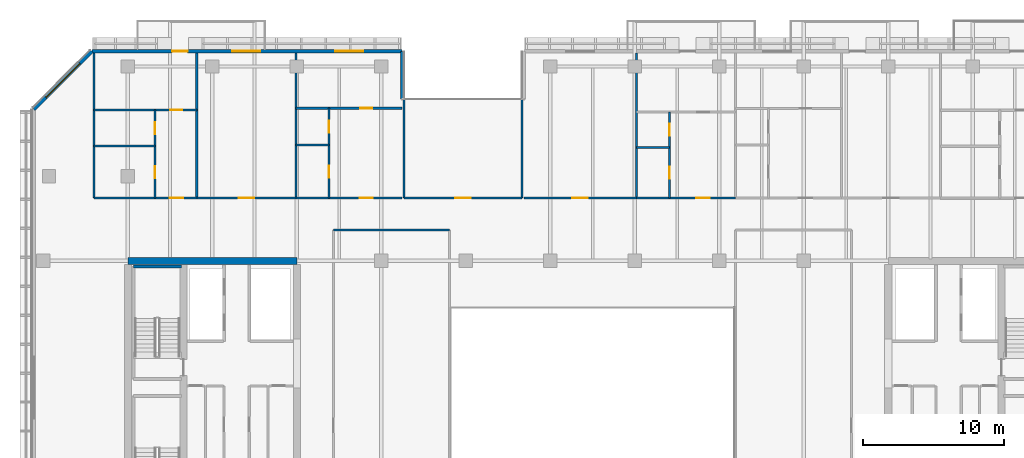
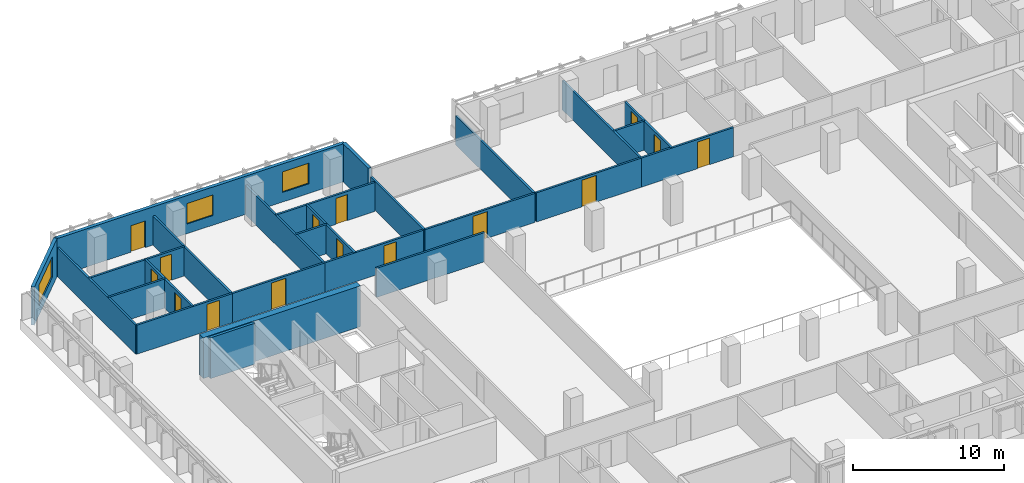
# One storey, part 13 of 23: 26 walls, 15 doors, 3 windows, 18 openings.
"""IFC4 building model written with IfcOpenShell, lengths in metres."""

from ifc_helpers import new_model, si_unit, direction, frame, frame_2d, origin, place, context, subcontext, project, spatial, rectangle, extrude, material, layer, layer_set, type_object, element, fill, save


model = new_model("IFC4")

# Units and contexts
model_context = context("Model", 3, precision=1e-05, world=origin(), true_north=direction((0.0, 1.0)))
body_context = subcontext(model_context, "Body", "Model", "MODEL_VIEW")
ifc_project = project(units=[si_unit("LENGTHUNIT", "METRE"), si_unit("AREAUNIT", "SQUARE_METRE"), si_unit("VOLUMEUNIT", "CUBIC_METRE"), si_unit("PLANEANGLEUNIT", "RADIAN"), si_unit("MASSUNIT", "GRAM", prefix="KILO")], contexts=[model_context])

# Site, building, storey
site_placement = place(None, origin())
site = spatial("IfcSite", under=ifc_project, at=site_placement, CompositionType="ELEMENT")
building_placement = place(site_placement, origin())
building = spatial("IfcBuilding", under=site, at=building_placement, Name="Tanjung Sevakor Pilgrim Tower", CompositionType="ELEMENT")
storey_placement = place(building_placement, frame((0.0, 0.0, 105.27001953125)))
storey = spatial("IfcBuildingStorey", under=building, at=storey_placement, Name="L29", CompositionType="ELEMENT", Elevation=105.27001953125)

# Walls
ifc_material_1 = material(Name="Concrete C60/75", Category="concrete")
ifc_layer_1 = layer(ifc_material_1, 0.5)
ifc_layer_set_1 = layer_set([ifc_layer_1], Name="WALL-CW-500")
wall_type_1 = type_object("IfcWallType", Name="WALL-CW-500", PredefinedType="SHEAR", material=ifc_layer_set_1)
wall_1_placement = place(storey_placement, frame((36.0, 42.60009765625, 0.0), z_axis=(0.0, 0.0, 1.0), x_axis=(-1.0, 0.0, 0.0)))
element("IfcWall", 1, at=wall_1_placement, inside=storey, type_object=wall_type_1, Name="L29 W Core North Shear Wall", PredefinedType="SHEAR", context=body_context, shape_type="SweptSolid", body=[
    extrude(rectangle(XDim=12.0, YDim=0.5, at=frame_2d((6.0, 0.0))), origin(), (0.0, 0.0, 1.0), 3.300048828125),
])
ifc_material_2 = material(Name="Concrete C40/50", Category="concrete")
ifc_layer_2 = layer(ifc_material_2, 0.14990234375)
ifc_layer_set_2 = layer_set([ifc_layer_2], Name="WT-COMP-150")
wall_type_2 = type_object("IfcWallType", Name="WT-COMP-150", PredefinedType="SOLIDWALL", material=ifc_layer_set_2)
wall_2_placement = place(storey_placement, frame((38.60009765625, 44.800048828125, 0.0), z_axis=(0.0, 0.0, 1.0), x_axis=(1.0, 0.0, 0.0)))
element("IfcWall", 2, at=wall_2_placement, inside=storey, type_object=wall_type_2, Name="L29 Partition IW-L29-030", PredefinedType="SOLIDWALL", context=body_context, shape_type="SweptSolid", body=[
    extrude(rectangle(XDim=8.25, YDim=0.14990234375, at=frame_2d((4.125, 0.0))), origin(), (0.0, 0.0, 1.0), 2.35009765625),
])

# Wall, opening, door
wall_3_placement = place(storey_placement, frame((43.60009765625, 47.050048828125, 0.0), z_axis=(0.0, 0.0, 1.0), x_axis=(1.0, 0.0, 0.0)))
wall_3 = element("IfcWall", 3, at=wall_3_placement, inside=storey, type_object=wall_type_2, Name="L29 Partition IW-L29-048", PredefinedType="SOLIDWALL", context=body_context, shape_type="SweptSolid", body=[
    extrude(rectangle(XDim=8.39990234375, YDim=0.14990234375, at=frame_2d((4.199951171875, 0.0))), origin(), (0.0, 0.0, 1.0), 2.35009765625),
])
opening_1_placement = place(wall_3_placement, frame((3.64990234375, 0.0, 0.0)))
opening_1 = element("IfcOpeningElement", 4, at=opening_1_placement, cuts=wall_3, Name="Opening ID-RM2", PredefinedType="OPENING", context=body_context, shape_type="SweptSolid", body=[
    extrude(rectangle(XDim=1.10009765625, YDim=2.14990234375, at=frame_2d((0.550048828125, 1.074951171875))), frame((0.0, 0.0849609375, 0.0), z_axis=(0.0, -1.0, 0.0), x_axis=(1.0, 0.0, 0.0)), (0.0, 0.0, 1.0), 0.169921875),
])
ifc_material_3 = material(Name="Hardwood Timber", Category="wood")
door_type_1 = type_object("IfcDoorType", Name="DT-INT-1100", OperationType="NOTDEFINED", PredefinedType="DOOR", material=ifc_material_3)
door_1_placement = place(opening_1_placement, origin())
door_1 = element("IfcDoor", 5, at=door_1_placement, inside=storey, type_object=door_type_1, Name="L29 North Cleft Seminar Room Door", OperationType="SINGLE_SWING_RIGHT", OverallHeight=2.14990234375, OverallWidth=1.10009765625, PredefinedType="DOOR", context=body_context, shape_type="SweptSolid", body=[
    extrude(rectangle(XDim=1.10009765625, YDim=2.14990234375, at=frame_2d((0.550048828125, 1.074951171875))), frame((0.0, 0.02490234375, 0.0), z_axis=(0.0, -1.0, 0.0), x_axis=(1.0, 0.0, 0.0)), (0.0, 0.0, 1.0), 0.050048828125),
])
fill(opening_1, door_1)

# Walls
for number, where, z_axis, x_axis, name in (
    (6, (43.60009765625, 47.050048828125, 0.0), (0.0, 0.0, 1.0), (0.0, 1.0, 0.0), "L29 Partition IW-L29-049"),
    (7, (52.0, 47.050048828125, 0.0), (0.0, 0.0, 1.0), (0.0, 1.0, 0.0), "L29 Partition IW-L29-050"),
    (8, (21.60009765625, 47.050048828125, 0.0), (0.0, 0.0, 1.0), (0.0, 1.0, 0.0), "L29 Partition IW-L29-080"),
    (9, (28.893310546875, 47.050048828125, 0.0), (0.0, 0.0, 1.0), (0.0, 1.0, 0.0), "L29 Partition IW-L29-081"),
):
    element("IfcWall", number, at=place(storey_placement, frame(where, z_axis=z_axis, x_axis=x_axis)), inside=storey, type_object=wall_type_2, Name=name, PredefinedType="SOLIDWALL", context=body_context, shape_type="SweptSolid", body=[
        extrude(rectangle(XDim=10.300048828125, YDim=0.14990234375, at=frame_2d((5.14990234375, 0.0))), origin(), (0.0, 0.0, 1.0), 2.35009765625),
    ])

# Wall, opening, door
wall_4_placement = place(storey_placement, frame((21.60009765625, 47.050048828125, 0.0), z_axis=(0.0, 0.0, 1.0), x_axis=(1.0, 0.0, 0.0)))
wall_4 = element("IfcWall", 10, at=wall_4_placement, inside=storey, type_object=wall_type_2, Name="L29 Partition IW-L29-085", PredefinedType="SOLIDWALL", context=body_context, shape_type="SweptSolid", body=[
    extrude(rectangle(XDim=7.293212890625, YDim=0.14990234375, at=frame_2d((3.646484375, 0.0))), origin(), (0.0, 0.0, 1.0), 2.35009765625),
])
opening_2_placement = place(wall_4_placement, frame((5.37158203125, 0.0, 0.0)))
opening_2 = element("IfcOpeningElement", 11, at=opening_2_placement, cuts=wall_4, Name="Opening ID-FD2", PredefinedType="OPENING", context=body_context, shape_type="SweptSolid", body=[
    extrude(rectangle(XDim=0.949951171875, YDim=2.14990234375, at=frame_2d((0.47509765625, 1.074951171875))), frame((0.0, 0.0849609375, 0.0), z_axis=(0.0, -1.0, 0.0), x_axis=(1.0, 0.0, 0.0)), (0.0, 0.0, 1.0), 0.169921875),
])
ifc_material_4 = material(Name="Fire-Rated Timber", Category="wood")
door_type_2 = type_object("IfcDoorType", Name="DT-FIRE-950", OperationType="NOTDEFINED", PredefinedType="DOOR", material=ifc_material_4)
door_2_placement = place(opening_2_placement, origin())
door_2 = element("IfcDoor", 12, at=door_2_placement, inside=storey, type_object=door_type_2, Name="Residence Entrance", OperationType="SINGLE_SWING_RIGHT", OverallHeight=2.14990234375, OverallWidth=0.949951171875, PredefinedType="DOOR", context=body_context, shape_type="SweptSolid", body=[
    extrude(rectangle(XDim=0.949951171875, YDim=2.14990234375, at=frame_2d((0.47509765625, 1.074951171875))), frame((0.0, 0.02490234375, 0.0), z_axis=(0.0, -1.0, 0.0), x_axis=(1.0, 0.0, 0.0)), (0.0, 0.0, 1.0), 0.050048828125),
])
fill(opening_2, door_2)

# Wall
wall_5_placement = place(storey_placement, frame((35.943603515625, 47.050048828125, 0.0), z_axis=(0.0, 0.0, 1.0), x_axis=(0.0, 1.0, 0.0)))
element("IfcWall", 13, at=wall_5_placement, inside=storey, type_object=wall_type_2, Name="L29 Partition IW-L29-086", PredefinedType="SOLIDWALL", context=body_context, shape_type="SweptSolid", body=[
    extrude(rectangle(XDim=10.300048828125, YDim=0.14990234375, at=frame_2d((5.14990234375, 0.0))), origin(), (0.0, 0.0, 1.0), 2.35009765625),
])

# Wall, opening, door
wall_6_placement = place(storey_placement, frame((28.893310546875, 47.050048828125, 0.0), z_axis=(0.0, 0.0, 1.0), x_axis=(1.0, 0.0, 0.0)))
wall_6 = element("IfcWall", 14, at=wall_6_placement, inside=storey, type_object=wall_type_2, Name="L29 Partition IW-L29-087", PredefinedType="SOLIDWALL", context=body_context, shape_type="SweptSolid", body=[
    extrude(rectangle(XDim=7.05029296875, YDim=0.14990234375, at=frame_2d((3.525146484375, 0.0))), origin(), (0.0, 0.0, 1.0), 2.35009765625),
])
opening_3_placement = place(wall_6_placement, frame((2.97509765625, 0.0, 0.0)))
opening_3 = element("IfcOpeningElement", 15, at=opening_3_placement, cuts=wall_6, Name="Opening ID-FD0", PredefinedType="OPENING", context=body_context, shape_type="SweptSolid", body=[
    extrude(rectangle(XDim=1.10009765625, YDim=2.14990234375, at=frame_2d((0.550048828125, 1.074951171875))), frame((0.0, 0.0849609375, 0.0), z_axis=(0.0, -1.0, 0.0), x_axis=(1.0, 0.0, 0.0)), (0.0, 0.0, 1.0), 0.169921875),
])
ifc_material_5 = material(Name="Fire-Rated Steel S355J2", Category="steel")
door_type_3 = type_object("IfcDoorType", Name="DT-FIRE-1100", OperationType="NOTDEFINED", PredefinedType="DOOR", material=ifc_material_5)
door_3_placement = place(opening_3_placement, origin())
door_3 = element("IfcDoor", 16, at=door_3_placement, inside=storey, type_object=door_type_3, Name="Seminar Room Door", OperationType="SINGLE_SWING_LEFT", OverallHeight=2.14990234375, OverallWidth=1.10009765625, PredefinedType="DOOR", context=body_context, shape_type="SweptSolid", body=[
    extrude(rectangle(XDim=1.10009765625, YDim=2.14990234375, at=frame_2d((0.550048828125, 1.074951171875))), frame((0.0, 0.02490234375, 0.0), z_axis=(0.0, -1.0, 0.0), x_axis=(1.0, 0.0, 0.0)), (0.0, 0.0, 1.0), 0.050048828125),
])
fill(opening_3, door_3)

wall_7_placement = place(storey_placement, frame((35.943603515625, 47.050048828125, 0.0), z_axis=(0.0, 0.0, 1.0), x_axis=(1.0, 0.0, 0.0)))
wall_7 = element("IfcWall", 17, at=wall_7_placement, inside=storey, type_object=wall_type_2, Name="L29 Partition IW-L29-091", PredefinedType="SOLIDWALL", context=body_context, shape_type="SweptSolid", body=[
    extrude(rectangle(XDim=7.536376953125, YDim=0.14990234375, at=frame_2d((3.76806640625, 0.0))), origin(), (0.0, 0.0, 1.0), 2.35009765625),
])
opening_4_placement = place(wall_7_placement, frame((4.50830078125, 0.0, 0.0)))
opening_4 = element("IfcOpeningElement", 18, at=opening_4_placement, cuts=wall_7, Name="Opening ID-FD2", PredefinedType="OPENING", context=body_context, shape_type="SweptSolid", body=[
    extrude(rectangle(XDim=0.949951171875, YDim=2.14990234375, at=frame_2d((0.47509765625, 1.074951171875))), frame((0.0, 0.0849609375, 0.0), z_axis=(0.0, -1.0, 0.0), x_axis=(1.0, 0.0, 0.0)), (0.0, 0.0, 1.0), 0.169921875),
])
door_4_placement = place(opening_4_placement, origin())
door_4 = element("IfcDoor", 19, at=door_4_placement, inside=storey, type_object=door_type_2, Name="Residence Entrance", OperationType="SINGLE_SWING_LEFT", OverallHeight=2.14990234375, OverallWidth=0.949951171875, PredefinedType="DOOR", context=body_context, shape_type="SweptSolid", body=[
    extrude(rectangle(XDim=0.949951171875, YDim=2.14990234375, at=frame_2d((0.47509765625, 1.074951171875))), frame((0.0, 0.02490234375, 0.0), z_axis=(0.0, -1.0, 0.0), x_axis=(1.0, 0.0, 0.0)), (0.0, 0.0, 1.0), 0.050048828125),
])
fill(opening_4, door_4)

# Wall
wall_8_placement = place(storey_placement, frame((60.1201171875, 47.050048828125, 0.0), z_axis=(0.0, 0.0, 1.0), x_axis=(0.0, 1.0, 0.0)))
element("IfcWall", 20, at=wall_8_placement, inside=storey, type_object=wall_type_2, Name="L29 Partition IW-L29-093", PredefinedType="SOLIDWALL", context=body_context, shape_type="SweptSolid", body=[
    extrude(rectangle(XDim=10.300048828125, YDim=0.14990234375, at=frame_2d((5.14990234375, 0.0))), origin(), (0.0, 0.0, 1.0), 2.35009765625),
])

# Wall, opening, door
wall_9_placement = place(storey_placement, frame((52.1201171875, 47.050048828125, 0.0), z_axis=(0.0, 0.0, 1.0), x_axis=(1.0, 0.0, 0.0)))
wall_9 = element("IfcWall", 21, at=wall_9_placement, inside=storey, type_object=wall_type_2, Name="L29 Partition IW-L29-094", PredefinedType="SOLIDWALL", context=body_context, shape_type="SweptSolid", body=[
    extrude(rectangle(XDim=8.0, YDim=0.14990234375, at=frame_2d((4.0, 0.0))), origin(), (0.0, 0.0, 1.0), 2.35009765625),
])
opening_5_placement = place(wall_9_placement, frame((3.4501953125, 0.0, 0.0)))
opening_5 = element("IfcOpeningElement", 22, at=opening_5_placement, cuts=wall_9, Name="Opening ID-FD0", PredefinedType="OPENING", context=body_context, shape_type="SweptSolid", body=[
    extrude(rectangle(XDim=1.10009765625, YDim=2.14990234375, at=frame_2d((0.550048828125, 1.074951171875))), frame((0.0, 0.0849609375, 0.0), z_axis=(0.0, -1.0, 0.0), x_axis=(1.0, 0.0, 0.0)), (0.0, 0.0, 1.0), 0.169921875),
])
door_5_placement = place(opening_5_placement, origin())
door_5 = element("IfcDoor", 23, at=door_5_placement, inside=storey, type_object=door_type_3, Name="Council Room Door", OperationType="SINGLE_SWING_RIGHT", OverallHeight=2.14990234375, OverallWidth=1.10009765625, PredefinedType="DOOR", context=body_context, shape_type="SweptSolid", body=[
    extrude(rectangle(XDim=1.10009765625, YDim=2.14990234375, at=frame_2d((0.550048828125, 1.074951171875))), frame((0.0, 0.02490234375, 0.0), z_axis=(0.0, -1.0, 0.0), x_axis=(1.0, 0.0, 0.0)), (0.0, 0.0, 1.0), 0.050048828125),
])
fill(opening_5, door_5)

wall_10_placement = place(storey_placement, frame((60.1201171875, 47.050048828125, 0.0), z_axis=(0.0, 0.0, 1.0), x_axis=(1.0, 0.0, 0.0)))
wall_10 = element("IfcWall", 24, at=wall_10_placement, inside=storey, type_object=wall_type_2, Name="L29 Partition IW-L29-099", PredefinedType="SOLIDWALL", context=body_context, shape_type="SweptSolid", body=[
    extrude(rectangle(XDim=7.030517578125, YDim=0.14990234375, at=frame_2d((3.51513671875, 0.0))), origin(), (0.0, 0.0, 1.0), 2.35009765625),
])
opening_6_placement = place(wall_10_placement, frame((4.25537109375, 0.0, 0.0)))
opening_6 = element("IfcOpeningElement", 25, at=opening_6_placement, cuts=wall_10, Name="Opening ID-FD2", PredefinedType="OPENING", context=body_context, shape_type="SweptSolid", body=[
    extrude(rectangle(XDim=0.949951171875, YDim=2.14990234375, at=frame_2d((0.47509765625, 1.074951171875))), frame((0.0, 0.0849609375, 0.0), z_axis=(0.0, -1.0, 0.0), x_axis=(1.0, 0.0, 0.0)), (0.0, 0.0, 1.0), 0.169921875),
])
door_6_placement = place(opening_6_placement, origin())
door_6 = element("IfcDoor", 26, at=door_6_placement, inside=storey, type_object=door_type_2, Name="Residence Entrance", OperationType="SINGLE_SWING_RIGHT", OverallHeight=2.14990234375, OverallWidth=0.949951171875, PredefinedType="DOOR", context=body_context, shape_type="SweptSolid", body=[
    extrude(rectangle(XDim=0.949951171875, YDim=2.14990234375, at=frame_2d((0.47509765625, 1.074951171875))), frame((0.0, 0.02490234375, 0.0), z_axis=(0.0, -1.0, 0.0), x_axis=(1.0, 0.0, 0.0)), (0.0, 0.0, 1.0), 0.050048828125),
])
fill(opening_6, door_6)

# Wall
ifc_material_6 = material(Name="Precast concrete C45/55", Category="concrete")
ifc_layer_3 = layer(ifc_material_6, 0.25)
ifc_layer_set_3 = layer_set([ifc_layer_3], Name="WT-EW-STN3")
wall_type_3 = type_object("IfcWallType", Name="WT-EW-STN3", PredefinedType="SOLIDWALL", material=ifc_layer_set_3)
wall_11_placement = place(storey_placement, frame((43.47509765625, 54.074951171875, 0.0), z_axis=(0.0, 0.0, 1.0), x_axis=(0.0, 1.0, 0.0)))
element("IfcWall", 27, at=wall_11_placement, inside=storey, type_object=wall_type_3, Name="L29 MAIN Exterior Wall 12", PredefinedType="SOLIDWALL", context=body_context, shape_type="SweptSolid", body=[
    extrude(rectangle(XDim=3.400146484375, YDim=0.25, at=frame_2d((1.7001953125, 0.0))), origin(), (0.0, 0.0, 1.0), 3.080078125),
])

# Wall, openings, door, windows
wall_12_placement = place(storey_placement, frame((43.47509765625, 57.47509765625, 0.0), z_axis=(0.0, 0.0, 1.0), x_axis=(-1.0, 0.0, 0.0)))
wall_12 = element("IfcWall", 28, at=wall_12_placement, inside=storey, type_object=wall_type_3, Name="L29 MAIN Exterior Wall 13", PredefinedType="SOLIDWALL", context=body_context, shape_type="SweptSolid", body=[
    extrude(rectangle(XDim=22.023193359375, YDim=0.25, at=frame_2d((11.01171875, 0.0))), origin(), (0.0, 0.0, 1.0), 3.080078125),
])
opening_7_placement = place(wall_12_placement, frame((15.22509765625, 0.0, 0.0)))
opening_7 = element("IfcOpeningElement", 29, at=opening_7_placement, cuts=wall_12, Name="Opening ED-BAL-1100", PredefinedType="OPENING", context=body_context, shape_type="SweptSolid", body=[
    extrude(rectangle(XDim=1.10009765625, YDim=2.14990234375, at=frame_2d((0.550048828125, 1.074951171875))), frame((0.0, 0.135009765625, 0.0), z_axis=(0.0, -1.0, 0.0), x_axis=(1.0, 0.0, 0.0)), (0.0, 0.0, 1.0), 0.27001953125),
])
opening_8_placement = place(wall_12_placement, frame((10.056640625, 0.0, 0.780029296875)))
opening_8 = element("IfcOpeningElement", 30, at=opening_8_placement, cuts=wall_12, Name="Opening WN-Z2-1660", PredefinedType="OPENING", context=body_context, shape_type="SweptSolid", body=[
    extrude(rectangle(XDim=2.0, YDim=1.659912109375, at=frame_2d((1.0, 0.830078125))), frame((0.0, 0.135009765625, 0.0), z_axis=(0.0, -1.0, 0.0), x_axis=(1.0, 0.0, 0.0)), (0.0, 0.0, 1.0), 0.27001953125),
])
opening_9_placement = place(wall_12_placement, frame((2.76318359375, 0.0, 0.780029296875)))
opening_9 = element("IfcOpeningElement", 31, at=opening_9_placement, cuts=wall_12, Name="Opening WN-Z2-1660", PredefinedType="OPENING", context=body_context, shape_type="SweptSolid", body=[
    extrude(rectangle(XDim=2.0, YDim=1.659912109375, at=frame_2d((1.0, 0.830078125))), frame((0.0, 0.135009765625, 0.0), z_axis=(0.0, -1.0, 0.0), x_axis=(1.0, 0.0, 0.0)), (0.0, 0.0, 1.0), 0.27001953125),
])
ifc_material_7 = material(Name="Anodised Aluminium and Laminated Glass", Category="aluminium")
door_type_4 = type_object("IfcDoorType", Name="DTYP-ED-BAL-1100", OperationType="NOTDEFINED", PredefinedType="DOOR", material=ifc_material_7)
door_7_placement = place(opening_7_placement, frame((1.10009765625, 0.0, 0.0), z_axis=(0.0, 0.0, 1.0), x_axis=(-1.0, 0.0, 0.0)))
door_7 = element("IfcDoor", 32, at=door_7_placement, inside=storey, type_object=door_type_4, Name="L29 Balcony Door MAIN-N1", OperationType="SINGLE_SWING_LEFT", OverallHeight=2.14990234375, OverallWidth=1.10009765625, PredefinedType="DOOR", context=body_context, shape_type="SweptSolid", body=[
    extrude(rectangle(XDim=1.10009765625, YDim=2.14990234375, at=frame_2d((0.550048828125, 1.074951171875))), frame((0.0, 0.02490234375, 0.0), z_axis=(0.0, -1.0, 0.0), x_axis=(1.0, 0.0, 0.0)), (0.0, 0.0, 1.0), 0.050048828125),
])
fill(opening_7, door_7)
ifc_material_8 = material(Name="Thermally Broken Aluminium and Low-E Glass", Category="aluminium")
window_type_1 = type_object("IfcWindowType", Name="WTYP-WN-Z2-1660", PartitioningType="DOUBLE_PANEL_VERTICAL", PredefinedType="WINDOW", material=ifc_material_8)
window_1_placement = place(opening_8_placement, origin())
window_1 = element("IfcWindow", 33, at=window_1_placement, inside=storey, type_object=window_type_1, Name="L29 Facade Window 01", OverallHeight=1.659912109375, OverallWidth=2.0, PartitioningType="SINGLE_PANEL", PredefinedType="WINDOW", context=body_context, shape_type="SweptSolid", body=[
    extrude(rectangle(XDim=2.0, YDim=1.659912109375, at=frame_2d((1.0, 0.830078125))), frame((0.0, 0.030029296875, 0.0), z_axis=(0.0, -1.0, 0.0), x_axis=(1.0, 0.0, 0.0)), (0.0, 0.0, 1.0), 0.06005859375),
])
fill(opening_8, window_1)
window_2_placement = place(opening_9_placement, origin())
window_2 = element("IfcWindow", 34, at=window_2_placement, inside=storey, type_object=window_type_1, Name="L29 Facade Window 02", OverallHeight=1.659912109375, OverallWidth=2.0, PartitioningType="SINGLE_PANEL", PredefinedType="WINDOW", context=body_context, shape_type="SweptSolid", body=[
    extrude(rectangle(XDim=2.0, YDim=1.659912109375, at=frame_2d((1.0, 0.830078125))), frame((0.0, 0.030029296875, 0.0), z_axis=(0.0, -1.0, 0.0), x_axis=(1.0, 0.0, 0.0)), (0.0, 0.0, 1.0), 0.06005859375),
])
fill(opening_9, window_2)

# Wall, opening, window
wall_13_placement = place(storey_placement, frame((21.451904296875, 57.47509765625, 0.0), z_axis=(0.0, 0.0, 1.0), x_axis=(-0.707106781187, -0.707106781187, 0.0)))
wall_13 = element("IfcWall", 35, at=wall_13_placement, inside=storey, type_object=wall_type_3, Name="L29 MAIN Sculpted Corner Wall 13", PredefinedType="SOLIDWALL", context=body_context, shape_type="SweptSolid", body=[
    extrude(rectangle(XDim=5.83642578125, YDim=0.25, at=frame_2d((2.918212890625, 0.0))), origin(), (0.0, 0.0, 1.0), 3.080078125),
])
opening_10_placement = place(wall_13_placement, frame((1.218017578125, 0.0, 0.780029296875)))
opening_10 = element("IfcOpeningElement", 36, at=opening_10_placement, cuts=wall_13, Name="Opening WN-CHM-1660", PredefinedType="OPENING", context=body_context, shape_type="SweptSolid", body=[
    extrude(rectangle(XDim=3.39990234375, YDim=1.659912109375, at=frame_2d((1.699951171875, 0.830078125))), frame((0.0, 0.135009765625, 0.0), z_axis=(0.0, -1.0, 0.0), x_axis=(1.0, 0.0, 0.0)), (0.0, 0.0, 1.0), 0.27001953125),
])
ifc_material_9 = material(Name="Thermally Broken Aluminium and Low-E Glass", Category="aluminium")
window_type_2 = type_object("IfcWindowType", Name="WTYP-WN-CHM-1660", PartitioningType="DOUBLE_PANEL_VERTICAL", PredefinedType="WINDOW", material=ifc_material_9)
window_3_placement = place(opening_10_placement, origin())
window_3 = element("IfcWindow", 37, at=window_3_placement, inside=storey, type_object=window_type_2, Name="L29 Facade Window 01", OverallHeight=1.659912109375, OverallWidth=3.39990234375, PartitioningType="SINGLE_PANEL", PredefinedType="WINDOW", context=body_context, shape_type="SweptSolid", body=[
    extrude(rectangle(XDim=3.39990234375, YDim=1.659912109375, at=frame_2d((1.699951171875, 0.830078125))), frame((0.0, 0.030029296875, 0.0), z_axis=(0.0, -1.0, 0.0), x_axis=(1.0, 0.0, 0.0)), (0.0, 0.0, 1.0), 0.06005859375),
])
fill(opening_10, window_3)

# Walls
ifc_material_10 = material(Name="Concrete C40/50", Category="concrete")
ifc_layer_4 = layer(ifc_material_10, 0.199951171875)
ifc_layer_set_4 = layer_set([ifc_layer_4], Name="WT-FIRE-200")
wall_type_4 = type_object("IfcWallType", Name="WT-FIRE-200", PredefinedType="SOLIDWALL", material=ifc_layer_set_4)
wall_14_placement = place(storey_placement, frame((27.800048828125, 42.199951171875, 0.0), z_axis=(0.0, 0.0, 1.0), x_axis=(-1.0, 0.0, 0.0)))
element("IfcWall", 38, at=wall_14_placement, inside=storey, type_object=wall_type_4, Name="L29 TS-W2 Shaft Wall 2", PredefinedType="SOLIDWALL", context=body_context, shape_type="SweptSolid", body=[
    extrude(rectangle(XDim=3.400146484375, YDim=0.199951171875, at=frame_2d((1.7001953125, 0.0))), origin(), (0.0, 0.0, 1.0), 3.300048828125),
])
ifc_material_11 = material(Name="Gypsum Board Partition", Category="gypsum board")
ifc_layer_5 = layer(ifc_material_11, 0.14990234375)
ifc_layer_set_5 = layer_set([ifc_layer_5], Name="WT-PART-150")
wall_type_5 = type_object("IfcWallType", Name="WT-PART-150", PredefinedType="PARTITIONING", material=ifc_layer_set_5)
wall_15_placement = place(storey_placement, frame((21.60009765625, 50.740478515625, 0.0), z_axis=(0.0, 0.0, 1.0), x_axis=(1.0, 0.0, 0.0)))
element("IfcWall", 39, at=wall_15_placement, inside=storey, type_object=wall_type_5, Name="L29 Partition IW-L29-082", PredefinedType="PARTITIONING", context=body_context, shape_type="SweptSolid", body=[
    extrude(rectangle(XDim=4.31982421875, YDim=0.14990234375, at=frame_2d((2.159912109375, 0.0))), origin(), (0.0, 0.0, 1.0), 2.35009765625),
])

# Wall, openings, doors
wall_16_placement = place(storey_placement, frame((25.919921875, 47.050048828125, 0.0), z_axis=(0.0, 0.0, 1.0), x_axis=(0.0, 1.0, 0.0)))
wall_16 = element("IfcWall", 40, at=wall_16_placement, inside=storey, type_object=wall_type_5, Name="L29 Partition IW-L29-083", PredefinedType="PARTITIONING", context=body_context, shape_type="SweptSolid", body=[
    extrude(rectangle(XDim=6.255126953125, YDim=0.14990234375, at=frame_2d((3.12744140625, 0.0))), origin(), (0.0, 0.0, 1.0), 2.35009765625),
])
opening_11_placement = place(wall_16_placement, frame((1.42041015625, 0.0, 0.0)))
opening_11 = element("IfcOpeningElement", 41, at=opening_11_placement, cuts=wall_16, Name="Opening ID-WC1", PredefinedType="OPENING", context=body_context, shape_type="SweptSolid", body=[
    extrude(rectangle(XDim=0.85009765625, YDim=2.10009765625, at=frame_2d((0.425048828125, 1.050048828125))), frame((0.0, 0.0849609375, 0.0), z_axis=(0.0, -1.0, 0.0), x_axis=(1.0, 0.0, 0.0)), (0.0, 0.0, 1.0), 0.169921875),
])
opening_12_placement = place(wall_16_placement, frame((4.5478515625, 0.0, 0.0)))
opening_12 = element("IfcOpeningElement", 42, at=opening_12_placement, cuts=wall_16, Name="Opening ID-WC1", PredefinedType="OPENING", context=body_context, shape_type="SweptSolid", body=[
    extrude(rectangle(XDim=0.85009765625, YDim=2.10009765625, at=frame_2d((0.425048828125, 1.050048828125))), frame((0.0, 0.0849609375, 0.0), z_axis=(0.0, -1.0, 0.0), x_axis=(1.0, 0.0, 0.0)), (0.0, 0.0, 1.0), 0.169921875),
])
ifc_material_12 = material(Name="Moisture-Resistant Timber", Category="wood")
door_type_5 = type_object("IfcDoorType", Name="DT-INT-850", OperationType="NOTDEFINED", PredefinedType="DOOR", material=ifc_material_12)
door_8_placement = place(opening_11_placement, origin())
door_8 = element("IfcDoor", 43, at=door_8_placement, inside=storey, type_object=door_type_5, Name="Residence Kitchenette Door", OperationType="SINGLE_SWING_LEFT", OverallHeight=2.10009765625, OverallWidth=0.85009765625, PredefinedType="DOOR", context=body_context, shape_type="SweptSolid", body=[
    extrude(rectangle(XDim=0.85009765625, YDim=2.10009765625, at=frame_2d((0.425048828125, 1.050048828125))), frame((0.0, 0.02490234375, 0.0), z_axis=(0.0, -1.0, 0.0), x_axis=(1.0, 0.0, 0.0)), (0.0, 0.0, 1.0), 0.050048828125),
])
fill(opening_11, door_8)
door_9_placement = place(opening_12_placement, origin())
door_9 = element("IfcDoor", 44, at=door_9_placement, inside=storey, type_object=door_type_5, Name="Residence Bathroom Door", OperationType="SINGLE_SWING_RIGHT", OverallHeight=2.10009765625, OverallWidth=0.85009765625, PredefinedType="DOOR", context=body_context, shape_type="SweptSolid", body=[
    extrude(rectangle(XDim=0.85009765625, YDim=2.10009765625, at=frame_2d((0.425048828125, 1.050048828125))), frame((0.0, 0.02490234375, 0.0), z_axis=(0.0, -1.0, 0.0), x_axis=(1.0, 0.0, 0.0)), (0.0, 0.0, 1.0), 0.050048828125),
])
fill(opening_12, door_9)

# Wall, opening, door
wall_17_placement = place(storey_placement, frame((21.60009765625, 53.30517578125, 0.0), z_axis=(0.0, 0.0, 1.0), x_axis=(1.0, 0.0, 0.0)))
wall_17 = element("IfcWall", 45, at=wall_17_placement, inside=storey, type_object=wall_type_5, Name="L29 Partition IW-L29-084", PredefinedType="PARTITIONING", context=body_context, shape_type="SweptSolid", body=[
    extrude(rectangle(XDim=7.293212890625, YDim=0.14990234375, at=frame_2d((3.646484375, 0.0))), origin(), (0.0, 0.0, 1.0), 2.35009765625),
])
opening_13_placement = place(wall_17_placement, frame((5.421630859375, 0.0, 0.0)))
opening_13 = element("IfcOpeningElement", 46, at=opening_13_placement, cuts=wall_17, Name="Opening ID-WC1", PredefinedType="OPENING", context=body_context, shape_type="SweptSolid", body=[
    extrude(rectangle(XDim=0.85009765625, YDim=2.10009765625, at=frame_2d((0.425048828125, 1.050048828125))), frame((0.0, 0.0849609375, 0.0), z_axis=(0.0, -1.0, 0.0), x_axis=(1.0, 0.0, 0.0)), (0.0, 0.0, 1.0), 0.169921875),
])
door_10_placement = place(opening_13_placement, origin())
door_10 = element("IfcDoor", 47, at=door_10_placement, inside=storey, type_object=door_type_5, Name="Residence Bedroom Door", OperationType="SINGLE_SWING_LEFT", OverallHeight=2.10009765625, OverallWidth=0.85009765625, PredefinedType="DOOR", context=body_context, shape_type="SweptSolid", body=[
    extrude(rectangle(XDim=0.85009765625, YDim=2.10009765625, at=frame_2d((0.425048828125, 1.050048828125))), frame((0.0, 0.02490234375, 0.0), z_axis=(0.0, -1.0, 0.0), x_axis=(1.0, 0.0, 0.0)), (0.0, 0.0, 1.0), 0.050048828125),
])
fill(opening_13, door_10)

# Wall
wall_18_placement = place(storey_placement, frame((35.943603515625, 50.817626953125, 0.0), z_axis=(0.0, 0.0, 1.0), x_axis=(1.0, 0.0, 0.0)))
element("IfcWall", 48, at=wall_18_placement, inside=storey, type_object=wall_type_5, Name="L29 Partition IW-L29-088", PredefinedType="PARTITIONING", context=body_context, shape_type="SweptSolid", body=[
    extrude(rectangle(XDim=2.349853515625, YDim=0.14990234375, at=frame_2d((1.1748046875, 0.0))), origin(), (0.0, 0.0, 1.0), 2.35009765625),
])

# Wall, openings, doors
wall_19_placement = place(storey_placement, frame((38.29345703125, 47.050048828125, 0.0), z_axis=(0.0, 0.0, 1.0), x_axis=(0.0, 1.0, 0.0)))
wall_19 = element("IfcWall", 49, at=wall_19_placement, inside=storey, type_object=wall_type_5, Name="L29 Partition IW-L29-089", PredefinedType="PARTITIONING", context=body_context, shape_type="SweptSolid", body=[
    extrude(rectangle(XDim=6.3857421875, YDim=0.14990234375, at=frame_2d((3.19287109375, 0.0))), origin(), (0.0, 0.0, 1.0), 2.35009765625),
])
opening_14_placement = place(wall_19_placement, frame((1.458740234375, 0.0, 0.0)))
opening_14 = element("IfcOpeningElement", 50, at=opening_14_placement, cuts=wall_19, Name="Opening ID-WC1", PredefinedType="OPENING", context=body_context, shape_type="SweptSolid", body=[
    extrude(rectangle(XDim=0.85009765625, YDim=2.10009765625, at=frame_2d((0.425048828125, 1.050048828125))), frame((0.0, 0.0849609375, 0.0), z_axis=(0.0, -1.0, 0.0), x_axis=(1.0, 0.0, 0.0)), (0.0, 0.0, 1.0), 0.169921875),
])
opening_15_placement = place(wall_19_placement, frame((4.651611328125, 0.0, 0.0)))
opening_15 = element("IfcOpeningElement", 51, at=opening_15_placement, cuts=wall_19, Name="Opening ID-WC1", PredefinedType="OPENING", context=body_context, shape_type="SweptSolid", body=[
    extrude(rectangle(XDim=0.85009765625, YDim=2.10009765625, at=frame_2d((0.425048828125, 1.050048828125))), frame((0.0, 0.0849609375, 0.0), z_axis=(0.0, -1.0, 0.0), x_axis=(1.0, 0.0, 0.0)), (0.0, 0.0, 1.0), 0.169921875),
])
door_11_placement = place(opening_14_placement, origin())
door_11 = element("IfcDoor", 52, at=door_11_placement, inside=storey, type_object=door_type_5, Name="Residence Kitchenette Door", OperationType="SINGLE_SWING_RIGHT", OverallHeight=2.10009765625, OverallWidth=0.85009765625, PredefinedType="DOOR", context=body_context, shape_type="SweptSolid", body=[
    extrude(rectangle(XDim=0.85009765625, YDim=2.10009765625, at=frame_2d((0.425048828125, 1.050048828125))), frame((0.0, 0.02490234375, 0.0), z_axis=(0.0, -1.0, 0.0), x_axis=(1.0, 0.0, 0.0)), (0.0, 0.0, 1.0), 0.050048828125),
])
fill(opening_14, door_11)
door_12_placement = place(opening_15_placement, origin())
door_12 = element("IfcDoor", 53, at=door_12_placement, inside=storey, type_object=door_type_5, Name="Residence Bathroom Door", OperationType="SINGLE_SWING_LEFT", OverallHeight=2.10009765625, OverallWidth=0.85009765625, PredefinedType="DOOR", context=body_context, shape_type="SweptSolid", body=[
    extrude(rectangle(XDim=0.85009765625, YDim=2.10009765625, at=frame_2d((0.425048828125, 1.050048828125))), frame((0.0, 0.02490234375, 0.0), z_axis=(0.0, -1.0, 0.0), x_axis=(1.0, 0.0, 0.0)), (0.0, 0.0, 1.0), 0.050048828125),
])
fill(opening_15, door_12)

# Wall, opening, door
wall_20_placement = place(storey_placement, frame((35.943603515625, 53.435791015625, 0.0), z_axis=(0.0, 0.0, 1.0), x_axis=(1.0, 0.0, 0.0)))
wall_20 = element("IfcWall", 54, at=wall_20_placement, inside=storey, type_object=wall_type_5, Name="L29 Partition IW-L29-090", PredefinedType="PARTITIONING", context=body_context, shape_type="SweptSolid", body=[
    extrude(rectangle(XDim=7.536376953125, YDim=0.14990234375, at=frame_2d((3.76806640625, 0.0))), origin(), (0.0, 0.0, 1.0), 2.35009765625),
])
opening_16_placement = place(wall_20_placement, frame((4.558349609375, 0.0, 0.0)))
opening_16 = element("IfcOpeningElement", 55, at=opening_16_placement, cuts=wall_20, Name="Opening ID-WC1", PredefinedType="OPENING", context=body_context, shape_type="SweptSolid", body=[
    extrude(rectangle(XDim=0.85009765625, YDim=2.10009765625, at=frame_2d((0.425048828125, 1.050048828125))), frame((0.0, 0.0849609375, 0.0), z_axis=(0.0, -1.0, 0.0), x_axis=(1.0, 0.0, 0.0)), (0.0, 0.0, 1.0), 0.169921875),
])
door_13_placement = place(opening_16_placement, origin())
door_13 = element("IfcDoor", 56, at=door_13_placement, inside=storey, type_object=door_type_5, Name="Residence Bedroom Door", OperationType="SINGLE_SWING_RIGHT", OverallHeight=2.10009765625, OverallWidth=0.85009765625, PredefinedType="DOOR", context=body_context, shape_type="SweptSolid", body=[
    extrude(rectangle(XDim=0.85009765625, YDim=2.10009765625, at=frame_2d((0.425048828125, 1.050048828125))), frame((0.0, 0.02490234375, 0.0), z_axis=(0.0, -1.0, 0.0), x_axis=(1.0, 0.0, 0.0)), (0.0, 0.0, 1.0), 0.050048828125),
])
fill(opening_16, door_13)

# Wall
wall_21_placement = place(storey_placement, frame((60.1201171875, 50.6513671875, 0.0), z_axis=(0.0, 0.0, 1.0), x_axis=(1.0, 0.0, 0.0)))
element("IfcWall", 57, at=wall_21_placement, inside=storey, type_object=wall_type_5, Name="L29 Partition IW-L29-096", PredefinedType="PARTITIONING", context=body_context, shape_type="SweptSolid", body=[
    extrude(rectangle(XDim=2.35009765625, YDim=0.14990234375, at=frame_2d((1.175048828125, 0.0))), origin(), (0.0, 0.0, 1.0), 2.35009765625),
])

# Wall, openings, doors
wall_22_placement = place(storey_placement, frame((62.47021484375, 47.050048828125, 0.0), z_axis=(0.0, 0.0, 1.0), x_axis=(0.0, 1.0, 0.0)))
wall_22 = element("IfcWall", 58, at=wall_22_placement, inside=storey, type_object=wall_type_5, Name="L29 Partition IW-L29-097", PredefinedType="PARTITIONING", context=body_context, shape_type="SweptSolid", body=[
    extrude(rectangle(XDim=6.10400390625, YDim=0.14990234375, at=frame_2d((3.052001953125, 0.0))), origin(), (0.0, 0.0, 1.0), 2.35009765625),
])
opening_17_placement = place(wall_22_placement, frame((1.375732421875, 0.0, 0.0)))
opening_17 = element("IfcOpeningElement", 59, at=opening_17_placement, cuts=wall_22, Name="Opening ID-WC1", PredefinedType="OPENING", context=body_context, shape_type="SweptSolid", body=[
    extrude(rectangle(XDim=0.85009765625, YDim=2.10009765625, at=frame_2d((0.425048828125, 1.050048828125))), frame((0.0, 0.0849609375, 0.0), z_axis=(0.0, -1.0, 0.0), x_axis=(1.0, 0.0, 0.0)), (0.0, 0.0, 1.0), 0.169921875),
])
opening_18_placement = place(wall_22_placement, frame((4.427734375, 0.0, 0.0)))
opening_18 = element("IfcOpeningElement", 60, at=opening_18_placement, cuts=wall_22, Name="Opening ID-WC1", PredefinedType="OPENING", context=body_context, shape_type="SweptSolid", body=[
    extrude(rectangle(XDim=0.85009765625, YDim=2.10009765625, at=frame_2d((0.425048828125, 1.050048828125))), frame((0.0, 0.0849609375, 0.0), z_axis=(0.0, -1.0, 0.0), x_axis=(1.0, 0.0, 0.0)), (0.0, 0.0, 1.0), 0.169921875),
])
door_14_placement = place(opening_17_placement, origin())
door_14 = element("IfcDoor", 61, at=door_14_placement, inside=storey, type_object=door_type_5, Name="Residence Kitchenette Door", OperationType="SINGLE_SWING_LEFT", OverallHeight=2.10009765625, OverallWidth=0.85009765625, PredefinedType="DOOR", context=body_context, shape_type="SweptSolid", body=[
    extrude(rectangle(XDim=0.85009765625, YDim=2.10009765625, at=frame_2d((0.425048828125, 1.050048828125))), frame((0.0, 0.02490234375, 0.0), z_axis=(0.0, -1.0, 0.0), x_axis=(1.0, 0.0, 0.0)), (0.0, 0.0, 1.0), 0.050048828125),
])
fill(opening_17, door_14)
door_15_placement = place(opening_18_placement, origin())
door_15 = element("IfcDoor", 62, at=door_15_placement, inside=storey, type_object=door_type_5, Name="Residence Bathroom Door", OperationType="SINGLE_SWING_RIGHT", OverallHeight=2.10009765625, OverallWidth=0.85009765625, PredefinedType="DOOR", context=body_context, shape_type="SweptSolid", body=[
    extrude(rectangle(XDim=0.85009765625, YDim=2.10009765625, at=frame_2d((0.425048828125, 1.050048828125))), frame((0.0, 0.02490234375, 0.0), z_axis=(0.0, -1.0, 0.0), x_axis=(1.0, 0.0, 0.0)), (0.0, 0.0, 1.0), 0.050048828125),
])
fill(opening_18, door_15)

save(model, "model.ifc")
